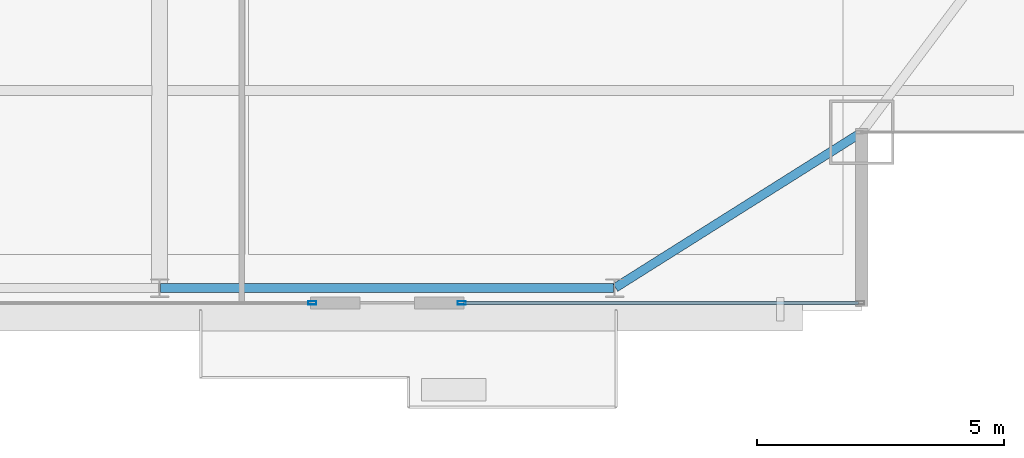
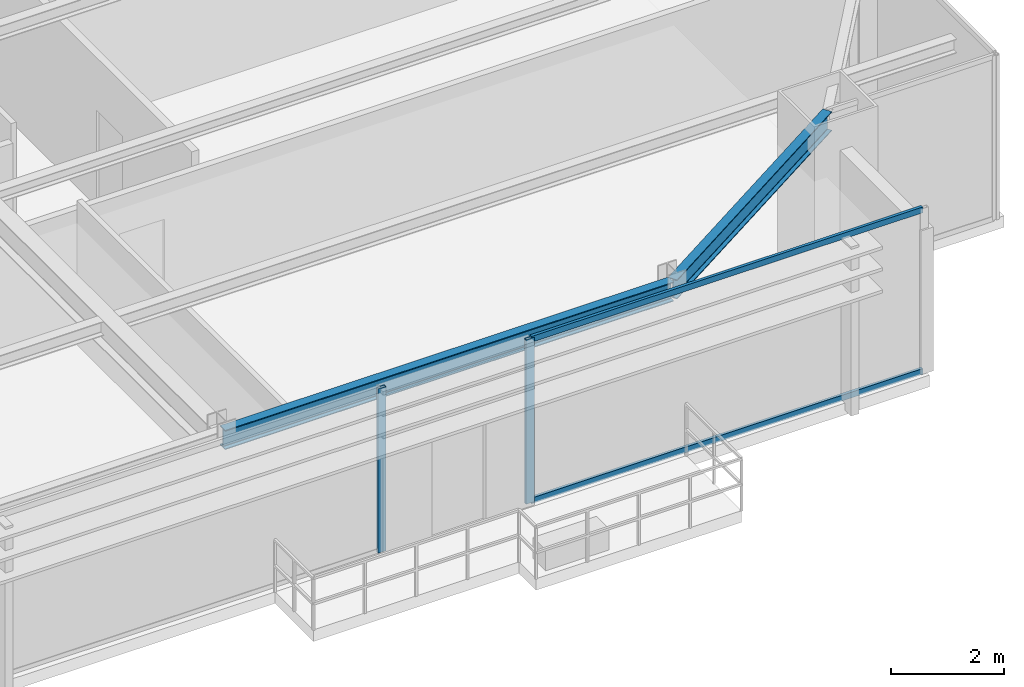
# One storey, part 14 of 31: 4 members, 2 beams, 2 elements without a shape of their own.
"""IFC4 building model written with IfcOpenShell, lengths in metres."""

import ifcopenshell
import ifcopenshell.guid

model = None  # the IFC model being written
_history = None  # IfcOwnerHistory: only IFC2X3 demands one
_inside = {}  # id of a spatial element -> (the spatial element, [elements in it])
_under = {}  # id of a project, library or spatial element -> (it, [spatial elements below it])
_declared = {}  # id of a project -> (the project, [libraries it declares])
_typed = {}  # id of a type object -> (the type object, [elements of that type])
_made_of = {}  # id of a material, layer set ... -> (it, [elements and type objects made of it])


def new_model(schema):
    """Start an empty IFC model of exactly this schema.

    Asked for "IFC4X3", IfcOpenShell would pick the latest addendum, in which some entities
    have other attributes; the version numbers below select the first issue.
    IFC2X3 requires an IfcOwnerHistory on every rooted entity: one is made here for all.
    """
    global model, _history
    if schema == "IFC4X3":
        model = ifcopenshell.file(schema_version=(4, 3, 0, 0))
    else:
        model = ifcopenshell.file(schema=schema)
    _inside.clear()
    _under.clear()
    _declared.clear()
    _typed.clear()
    _made_of.clear()
    _history = None
    if model.schema == "IFC2X3":
        org = make("IfcOrganization", Name="unknown")
        user = make(
            "IfcPersonAndOrganization",
            ThePerson=make("IfcPerson", FamilyName="unknown"),
            TheOrganization=org,
        )
        app = make(
            "IfcApplication",
            ApplicationDeveloper=org,
            Version="unknown",
            ApplicationFullName="unknown",
            ApplicationIdentifier="unknown",
        )
        _history = make(
            "IfcOwnerHistory",
            OwningUser=user,
            OwningApplication=app,
            ChangeAction="ADDED",
            CreationDate=0,
        )
    return model


def make(cls, **values):
    """One entity of the class cls with the attributes given. An attribute that is None is left unset."""
    return model.create_entity(
        cls, **{name: value for name, value in values.items() if value is not None}
    )


def rooted(cls, **values):
    """An entity with a GlobalId (a new one), such as an element, a storey or a relation."""
    return make(cls, GlobalId=ifcopenshell.guid.new(), OwnerHistory=_history, **values)


def si_unit(unit_type, name, prefix=None):
    """IfcSIUnit, for example si_unit("LENGTHUNIT", "METRE", prefix="MILLI")."""
    return make("IfcSIUnit", UnitType=unit_type, Prefix=prefix, Name=name)


def assignment(units):
    """IfcUnitAssignment: the units of a project."""
    return None if units is None else make("IfcUnitAssignment", Units=units)


def point(xyz):
    """IfcCartesianPoint."""
    return None if xyz is None else make("IfcCartesianPoint", Coordinates=xyz)


def direction(xyz):
    """IfcDirection."""
    return None if xyz is None else make("IfcDirection", DirectionRatios=xyz)


def frame(location, z_axis=None, x_axis=None):
    """IfcAxis2Placement3D, a coordinate frame: its origin and axes. An axis left out is left unset."""
    return make(
        "IfcAxis2Placement3D",
        Location=point(location),
        Axis=direction(z_axis),
        RefDirection=direction(x_axis),
    )


def frame_2d(location, x_axis=None):
    """IfcAxis2Placement2D, a coordinate frame in the plane: its origin and x axis."""
    return make(
        "IfcAxis2Placement2D", Location=point(location), RefDirection=direction(x_axis)
    )


def origin():
    """The frame at (0, 0, 0) with its axes left unset."""
    return frame((0.0, 0.0, 0.0))


def origin_2d():
    """The frame at (0, 0) in the plane with its x axis left unset."""
    return frame_2d((0.0, 0.0))


def place(relative_to, where):
    """IfcLocalPlacement: puts the frame where relative to a parent placement (None: the world)."""
    return make(
        "IfcLocalPlacement", PlacementRelTo=relative_to, RelativePlacement=where
    )


def context(
    kind, dimensions, precision=None, world=None, true_north=None, identifier=None
):
    """IfcGeometricRepresentationContext, for example the 3D "Model" context."""
    return make(
        "IfcGeometricRepresentationContext",
        ContextIdentifier=identifier,
        ContextType=kind,
        CoordinateSpaceDimension=dimensions,
        Precision=precision,
        WorldCoordinateSystem=world,
        TrueNorth=true_north,
    )


def subcontext(parent, identifier, kind, view, scale=None):
    """IfcGeometricRepresentationSubContext, for example "Body" below "Model"."""
    return make(
        "IfcGeometricRepresentationSubContext",
        ContextIdentifier=identifier,
        ContextType=kind,
        ParentContext=parent,
        TargetScale=scale,
        TargetView=view,
    )


def project(units=None, contexts=None):
    """IfcProject with its units and contexts."""
    return rooted(
        "IfcProject",
        Name="project",
        RepresentationContexts=contexts,
        UnitsInContext=assignment(units),
    )


def spatial(cls, under=None, at=None, **own):
    """A site, building, storey or space (cls), placed at a placement, below another one or the project."""
    s = rooted(cls, ObjectPlacement=at, **own)
    if under is not None:
        _under.setdefault(under.id(), (under, []))[1].append(s)
    return s


def profile(cls, at=None, kind="AREA", **sizes):
    """A parametric profile (cls). Its sizes go by their IFC names, for example OverallWidth=200.0."""
    return make(cls, ProfileType=kind, Position=at, **sizes)


def hollow_rectangle(**sizes):
    """IfcRectangleHollowProfileDef."""
    return profile("IfcRectangleHollowProfileDef", **sizes)


def i_section(**sizes):
    """IfcIShapeProfileDef."""
    return profile("IfcIShapeProfileDef", **sizes)


def extrude(swept, where, along, depth):
    """IfcExtrudedAreaSolid: the profile swept, set in the frame where, extruded along a direction by depth."""
    return make(
        "IfcExtrudedAreaSolid",
        SweptArea=swept,
        Position=where,
        ExtrudedDirection=direction(along),
        Depth=depth,
    )


def shape(context_of_items, identifier, shape_type, items):
    """IfcShapeRepresentation: the items that make up one representation, for example the "Body"."""
    return make(
        "IfcShapeRepresentation",
        ContextOfItems=context_of_items,
        RepresentationIdentifier=identifier,
        RepresentationType=shape_type,
        Items=items,
    )


def source(mapping_origin, context_of_items, identifier, shape_type, items):
    """IfcRepresentationMap: a shape defined once, which mapped items show again and again."""
    return make(
        "IfcRepresentationMap",
        MappingOrigin=mapping_origin,
        MappedRepresentation=shape(context_of_items, identifier, shape_type, items),
    )


def transform(
    local_origin,
    x_axis=None,
    y_axis=None,
    z_axis=None,
    scale=None,
    scale2=None,
    scale3=None,
    uniform=True,
):
    """IfcCartesianTransformationOperator3D, or its non-uniform kind. x_axis, y_axis, z_axis: its Axis1, 2, 3."""
    if uniform:
        return make(
            "IfcCartesianTransformationOperator3D",
            Axis1=direction(x_axis),
            Axis2=direction(y_axis),
            LocalOrigin=point(local_origin),
            Scale=scale,
            Axis3=direction(z_axis),
        )
    return make(
        "IfcCartesianTransformationOperator3DnonUniform",
        Axis1=direction(x_axis),
        Axis2=direction(y_axis),
        LocalOrigin=point(local_origin),
        Scale=scale,
        Axis3=direction(z_axis),
        Scale2=scale2,
        Scale3=scale3,
    )


def mapped(mapping_source, mapping_target):
    """IfcMappedItem: shows the shape of a source again, moved by a transform."""
    return make(
        "IfcMappedItem", MappingSource=mapping_source, MappingTarget=mapping_target
    )


def material(Name=None, Category=None):
    """IfcMaterial."""
    return make("IfcMaterial", Name=Name, Category=Category)


def layer(
    of_material, thickness, ventilated=None, Name=None, Category=None, Priority=None
):
    """IfcMaterialLayer: one layer of a wall or slab, of a material (None: an air gap)."""
    return make(
        "IfcMaterialLayer",
        Material=of_material,
        LayerThickness=thickness,
        IsVentilated=ventilated,
        Name=Name,
        Category=Category,
        Priority=Priority,
    )


def layer_set(layers, Name=None):
    """IfcMaterialLayerSet."""
    return make("IfcMaterialLayerSet", MaterialLayers=layers, LayerSetName=Name)


def material_profile(
    of_material, cross_section, Name=None, Category=None, Priority=None
):
    """IfcMaterialProfile: a cross section and its material."""
    return make(
        "IfcMaterialProfile",
        Name=Name,
        Material=of_material,
        Profile=cross_section,
        Priority=Priority,
        Category=Category,
    )


def profile_set(profiles, Name=None, composite=None):
    """IfcMaterialProfileSet."""
    return make(
        "IfcMaterialProfileSet",
        Name=Name,
        MaterialProfiles=profiles,
        CompositeProfile=composite,
    )


def made_of(thing, what):
    """Note that an element or type object is made of a material, layer set ...; save() writes the relation."""
    if what is not None:
        _made_of.setdefault(what.id(), (what, []))[1].append(thing)
    return thing


def type_object(cls, material=None, **own):
    """A type object (cls), such as IfcWallType, which elements share."""
    return made_of(rooted(cls, **own), material)


def type_shapes(of_type, sources):
    """Give a type object the sources (RepresentationMaps) that its elements show as mapped items."""
    of_type.RepresentationMaps = sources


def element(
    cls,
    number,
    at=None,
    inside=None,
    cuts=None,
    type_object=None,
    material=None,
    context=None,
    identifier="Body",
    shape_type=None,
    held_by="IfcProductDefinitionShape",
    body=None,
    shapes=None,
    **own,
):
    """One element of the class cls, such as IfcWall. Its Tag is "e" and its number.

    at: its placement. inside: the storey or other place that contains it. cuts: it is an
    opening in that element (IfcRelVoidsElement). A single representation is given by context,
    identifier, shape_type and body (its items); several are given by shapes. held_by: the class
    of the entity that holds the representations. save() writes the other relations.
    """
    e = rooted(cls, Tag="e%d" % number, ObjectPlacement=at, **own)
    if body is not None:
        shapes = [shape(context, identifier, shape_type, body)]
    if shapes is not None:
        e.Representation = make(held_by, Representations=shapes)
    if inside is not None:
        _inside.setdefault(inside.id(), (inside, []))[1].append(e)
    if cuts is not None:
        rooted(
            "IfcRelVoidsElement", RelatingBuildingElement=cuts, RelatedOpeningElement=e
        )
    if type_object is not None:
        _typed.setdefault(type_object.id(), (type_object, []))[1].append(e)
    return made_of(e, material)


def aggregate(whole, parts):
    """IfcRelAggregates: a whole, such as a stair, and the parts it consists of."""
    return rooted("IfcRelAggregates", RelatingObject=whole, RelatedObjects=parts)


def save(model, path):
    """Write the relations noted so far, then the file.

    IfcRelAggregates (storeys below a building ...), IfcRelContainedInSpatialStructure (elements
    in a storey), IfcRelDefinesByType, IfcRelAssociatesMaterial and IfcRelDeclares: one each for
    every whole, place, type object, material and project.
    """
    for whole, parts in _under.values():
        aggregate(whole, parts)
    for where, things in _inside.values():
        rooted(
            "IfcRelContainedInSpatialStructure",
            RelatedElements=things,
            RelatingStructure=where,
        )
    for kind, things in _typed.values():
        rooted("IfcRelDefinesByType", RelatedObjects=things, RelatingType=kind)
    for what, things in _made_of.values():
        rooted("IfcRelAssociatesMaterial", RelatedObjects=things, RelatingMaterial=what)
    for by, libraries in _declared.values():
        rooted("IfcRelDeclares", RelatingContext=by, RelatedDefinitions=libraries)
    model.write(path)


model = new_model("IFC4")

# Units and contexts
model_context = context("Model", 3, precision=1e-05, world=origin(), true_north=direction((0.0, 1.0)))
body_context = subcontext(model_context, "Body", "Model", "MODEL_VIEW")
ifc_project = project(units=[si_unit("LENGTHUNIT", "METRE"), si_unit("AREAUNIT", "SQUARE_METRE"), si_unit("VOLUMEUNIT", "CUBIC_METRE"), si_unit("PLANEANGLEUNIT", "RADIAN"), si_unit("MASSUNIT", "GRAM", prefix="KILO")], contexts=[model_context])

# Site, building, storey
site_placement = place(None, origin())
site = spatial("IfcSite", under=ifc_project, at=site_placement, CompositionType="ELEMENT")
building_placement = place(site_placement, origin())
building = spatial("IfcBuilding", under=site, at=building_placement, Name="Varnel Quay Broadcast Tower", CompositionType="ELEMENT")
storey_placement = place(building_placement, frame((0.0, 0.0, 183.800048828125)))
storey = spatial("IfcBuildingStorey", under=building, at=storey_placement, Name="L45", CompositionType="ELEMENT", Elevation=183.800048828125)

# Beams
ifc_material_1 = material(Name="Structural Steel CSA G40.21 350W", Category="steel")
ifc_material_profile_1 = material_profile(ifc_material_1, i_section(OverallWidth=0.180908203125, OverallDepth=0.4169921875, WebThickness=0.010986328125, FlangeThickness=0.018310546875, FilletRadius=0.011962890625, at=origin_2d()), Name="W410X85")
ifc_profile_set_1 = profile_set([ifc_material_profile_1], Name="Structural Steel CSA G40.21 350W")
beam_type = type_object("IfcBeamType", Name="Beam_W410X85", PredefinedType="SPANDREL", material=ifc_profile_set_1)
shared_shape_1 = source(origin(), body_context, "Body", "SweptSolid", [
    extrude(i_section(OverallWidth=0.180908203125, OverallDepth=0.4169921875, WebThickness=0.010986328125, FlangeThickness=0.018310546875, FilletRadius=0.011962890625, at=origin_2d()), origin(), (0.0, 0.0, 1.0), 9.159912109375),
])
beam_1_placement = place(storey_placement, frame((43.219970703125, 7.64990234375, 3.341552734375), z_axis=(1.0, 0.0, 0.0), x_axis=(0.0, 1.0, 0.0)))
element("IfcBeam", 1, at=beam_1_placement, inside=storey, type_object=beam_type, Name="L45 South Spandrel TC-S4-TC-S5", PredefinedType="SPANDREL", context=body_context, shape_type="MappedRepresentation", body=[
    mapped(shared_shape_1, transform((0.0, 0.0, 0.0), x_axis=(1.0, 0.0, 0.0), y_axis=(0.0, 1.0, 0.0), z_axis=(0.0, 0.0, 1.0), scale=1.0)),
])
shared_shape_2 = source(origin(), body_context, "Body", "SweptSolid", [
    extrude(i_section(OverallWidth=0.180908203125, OverallDepth=0.4169921875, WebThickness=0.010986328125, FlangeThickness=0.018310546875, FilletRadius=0.011962890625, at=origin_2d()), origin(), (0.0, 0.0, 1.0), 5.869384765625),
])
type_shapes(beam_type, [shared_shape_1, shared_shape_2])
beam_2_placement = place(storey_placement, frame((52.4169921875, 7.66064453125, 3.341552734375), z_axis=(0.846088328928, 0.533042718412, 0.0), x_axis=(-0.533042718412, 0.846088328928, 0.0)))
element("IfcBeam", 2, at=beam_2_placement, inside=storey, type_object=beam_type, Name="L45 South Spandrel TC-S5-MC-SE", PredefinedType="SPANDREL", context=body_context, shape_type="MappedRepresentation", body=[
    mapped(shared_shape_2, transform((0.0, 0.0, 0.0), x_axis=(1.0, 0.0, 0.0), y_axis=(0.0, 1.0, 0.0), z_axis=(0.0, 0.0, 1.0), scale=1.0)),
])

# Curtain wall, member
ifc_material_2 = material(Name="Anodised Bronze Aluminium 6063-T6", Category="aluminium")
ifc_layer = layer(ifc_material_2, 0.18994140625, Name="Anodised Bronze Aluminium 6063-T6")
ifc_layer_set = layer_set([ifc_layer], Name="Anodised Bronze Aluminium 6063-T6")
curtain_wall_type = type_object("IfcCurtainWallType", Name="CW_UpperTower", PredefinedType="NOTDEFINED", material=ifc_layer_set)
curtain_wall_1_placement = place(storey_placement, origin())
curtain_wall_1 = element("IfcCurtainWall", 3, at=curtain_wall_1_placement, inside=storey, type_object=curtain_wall_type, Name="L45 South Unitised Curtain Wall 2", PredefinedType="NOTDEFINED")
ifc_material_profile_2 = material_profile(ifc_material_2, hollow_rectangle(XDim=0.06494140625, YDim=0.1650390625, WallThickness=0.00341796875, at=origin_2d()), Name="ALU65X165X3.5")
ifc_profile_set_2 = profile_set([ifc_material_profile_2], Name="Anodised Bronze Aluminium 6063-T6")
member_type_1 = type_object("IfcMemberType", Name="Mull_CWS-03", PredefinedType="MULLION", material=ifc_profile_set_2)
shared_shape_3 = source(origin(), body_context, "Body", "SweptSolid", [
    extrude(hollow_rectangle(XDim=0.06494140625, YDim=0.1650390625, WallThickness=0.00341796875, at=origin_2d()), origin(), (0.0, 0.0, 1.0), 3.550048828125),
])
type_shapes(member_type_1, [shared_shape_3])
member_1_placement = place(storey_placement, frame((46.28759765625, 7.35009765625, 0.0), z_axis=(0.0, 0.0, 1.0), x_axis=(0.0, 1.0, 0.0)))
member_1 = element("IfcMember", 4, at=member_1_placement, type_object=member_type_1, Name="CWS-03 mullion 3", PredefinedType="MULLION", context=body_context, shape_type="MappedRepresentation", body=[
    mapped(shared_shape_3, transform((0.0, 0.0, 0.0), x_axis=(1.0, 0.0, 0.0), y_axis=(0.0, 1.0, 0.0), z_axis=(0.0, 0.0, 1.0), scale=1.0)),
])
aggregate(curtain_wall_1, [member_1])

# Curtain wall, members
curtain_wall_2_placement = place(storey_placement, origin())
curtain_wall_2 = element("IfcCurtainWall", 5, at=curtain_wall_2_placement, inside=storey, type_object=curtain_wall_type, Name="L45 South Unitised Curtain Wall 3", PredefinedType="NOTDEFINED")
member_2_placement = place(storey_placement, frame((49.3125, 7.35009765625, 0.0), z_axis=(0.0, 0.0, 1.0), x_axis=(0.0, 1.0, 0.0)))
member_2 = element("IfcMember", 6, at=member_2_placement, type_object=member_type_1, Name="CWS-03 mullion 1", PredefinedType="MULLION", context=body_context, shape_type="MappedRepresentation", body=[
    mapped(shared_shape_3, transform((0.0, 0.0, 0.0), x_axis=(1.0, 0.0, 0.0), y_axis=(0.0, 1.0, 0.0), z_axis=(0.0, 0.0, 1.0), scale=1.0)),
])
ifc_material_profile_3 = material_profile(ifc_material_2, hollow_rectangle(XDim=0.06005859375, YDim=0.125, WallThickness=0.0029296875, at=origin_2d()), Name="ALU60X125X3")
ifc_profile_set_3 = profile_set([ifc_material_profile_3], Name="Anodised Bronze Aluminium 6063-T6")
member_type_2 = type_object("IfcMemberType", Name="Tran_CWS-03", PredefinedType="USERDEFINED", material=ifc_profile_set_3)
shared_shape_4 = source(origin(), body_context, "Body", "SweptSolid", [
    extrude(hollow_rectangle(XDim=0.06005859375, YDim=0.125, WallThickness=0.0029296875, at=origin_2d()), origin(), (0.0, 0.0, 1.0), 7.989990234375),
])
type_shapes(member_type_2, [shared_shape_4])
member_3_placement = place(storey_placement, frame((49.344970703125, 7.35009765625, 0.030029296875), z_axis=(1.0, 0.0, 0.0), x_axis=(0.0, 1.0, 0.0)))
member_3 = element("IfcMember", 7, at=member_3_placement, type_object=member_type_2, Name="CWS-03 transom 1.1", ObjectType="TRANSOM", PredefinedType="USERDEFINED", context=body_context, shape_type="MappedRepresentation", body=[
    mapped(shared_shape_4, transform((0.0, 0.0, 0.0), x_axis=(1.0, 0.0, 0.0), y_axis=(0.0, 1.0, 0.0), z_axis=(0.0, 0.0, 1.0), scale=1.0)),
])
member_4_placement = place(storey_placement, frame((49.344970703125, 7.35009765625, 3.52001953125), z_axis=(1.0, 0.0, 0.0), x_axis=(0.0, 1.0, 0.0)))
member_4 = element("IfcMember", 8, at=member_4_placement, type_object=member_type_2, Name="CWS-03 transom 1.2", ObjectType="TRANSOM", PredefinedType="USERDEFINED", context=body_context, shape_type="MappedRepresentation", body=[
    mapped(shared_shape_4, transform((0.0, 0.0, 0.0), x_axis=(1.0, 0.0, 0.0), y_axis=(0.0, 1.0, 0.0), z_axis=(0.0, 0.0, 1.0), scale=1.0)),
])
aggregate(curtain_wall_2, [member_2, member_3, member_4])

save(model, "model.ifc")
